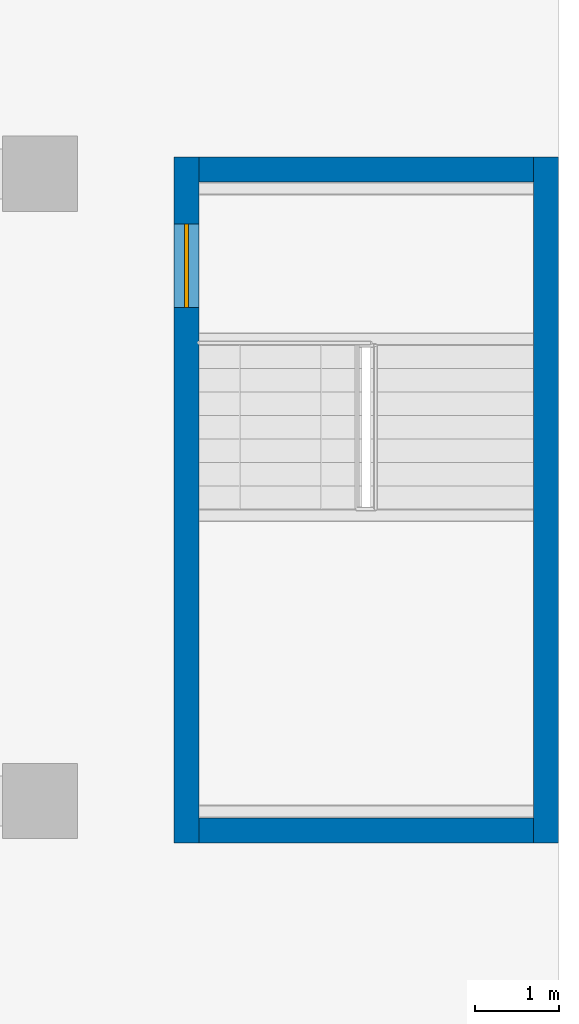
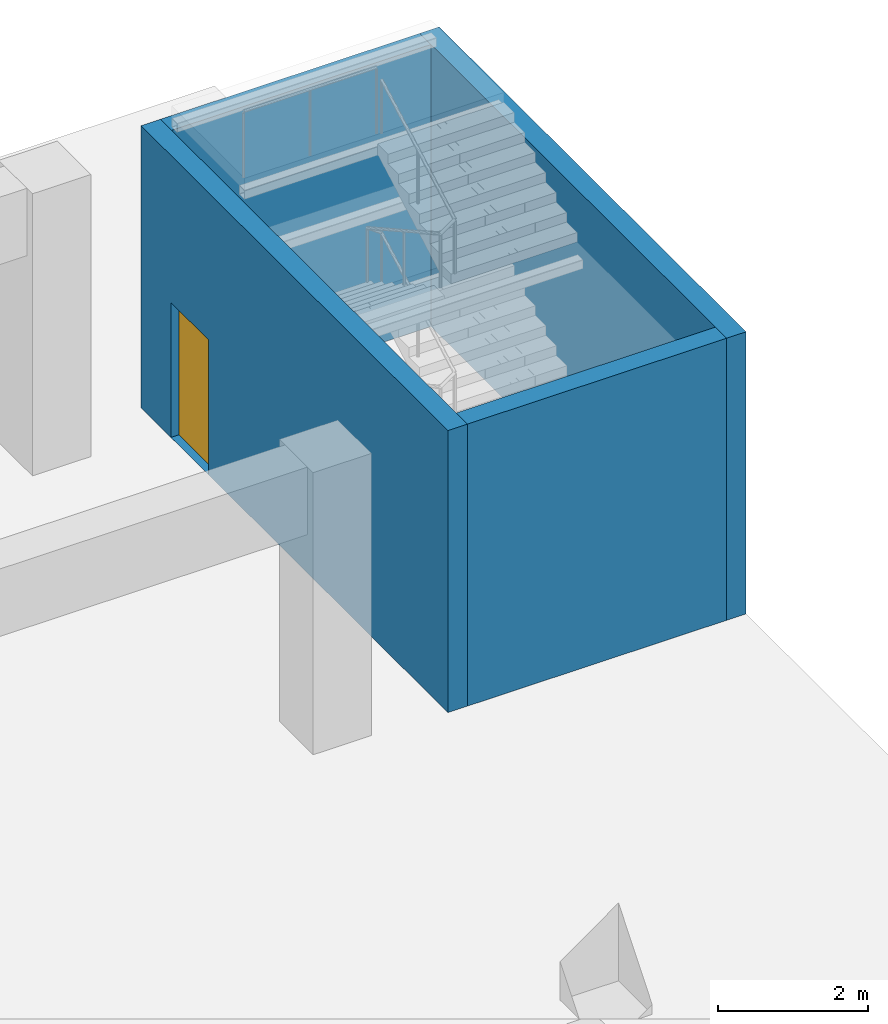
# One storey, part 9 of 20: 4 walls, 1 door, 1 opening.
"""IFC4 building model written with IfcOpenShell, lengths in metres."""

from ifc_helpers import new_model, si_unit, direction, frame, frame_2d, origin, place, context, subcontext, project, spatial, rectangle, extrude, material, layer, layer_set, type_object, element, fill, save


model = new_model("IFC4")

# Units and contexts
model_context = context("Model", 3, precision=1e-05, world=origin(), true_north=direction((0.0, 1.0)))
body_context = subcontext(model_context, "Body", "Model", "MODEL_VIEW")
ifc_project = project(units=[si_unit("LENGTHUNIT", "METRE"), si_unit("AREAUNIT", "SQUARE_METRE"), si_unit("VOLUMEUNIT", "CUBIC_METRE"), si_unit("PLANEANGLEUNIT", "RADIAN"), si_unit("MASSUNIT", "GRAM", prefix="KILO")], contexts=[model_context])

# Site, building, storey
site_placement = place(None, origin())
site = spatial("IfcSite", under=ifc_project, at=site_placement, CompositionType="ELEMENT")
building_placement = place(site_placement, origin())
building = spatial("IfcBuilding", under=site, at=building_placement, Name="Mizan Broadcast Tower", CompositionType="ELEMENT")
storey_placement = place(building_placement, frame((0.0, 0.0, -5.0)))
storey = spatial("IfcBuildingStorey", under=building, at=storey_placement, Name="B1", CompositionType="ELEMENT", Elevation=-5.0)

# Wall, opening, door
ifc_material_1 = material(Name="Concrete C40/50", Category="concrete")
ifc_layer = layer(ifc_material_1, 0.300048828125)
ifc_layer_set = layer_set([ifc_layer], Name="Concrete C40/50")
wall_type = type_object("IfcWallType", Name="STAIR SHAFT WALL 300 RC", PredefinedType="SOLIDWALL", material=ifc_layer_set)
wall_1_placement = place(storey_placement, frame((43.75, 42.199951171875, 0.0), z_axis=(0.0, 0.0, 1.0), x_axis=(0.0, -1.0, 0.0)))
wall_1 = element("IfcWall", 1, at=wall_1_placement, inside=storey, type_object=wall_type, Name="Stair shaft wall E I", PredefinedType="SOLIDWALL", context=body_context, shape_type="SweptSolid", body=[
    extrude(rectangle(XDim=8.199951171875, YDim=0.300048828125, at=frame_2d((4.10009765625, 0.0))), origin(), (0.0, 0.0, 1.0), 4.60009765625),
])
opening_placement = place(wall_1_placement, frame((0.800048828125, 0.0, 0.0)))
opening = element("IfcOpeningElement", 2, at=opening_placement, cuts=wall_1, Name="Opening D10S", PredefinedType="OPENING", context=body_context, shape_type="SweptSolid", body=[
    extrude(rectangle(XDim=1.0, YDim=2.199951171875, at=frame_2d((0.5, 1.10009765625))), frame((0.0, 0.159912109375, 0.0), z_axis=(0.0, -1.0, 0.0), x_axis=(1.0, 0.0, 0.0)), (0.0, 0.0, 1.0), 0.320068359375),
])
ifc_material_2 = material(Name="Steel door leaf in steel frame", Category="steel")
door_type = type_object("IfcDoorType", Name="STAIR DOOR 1000 FD90S", OperationType="SINGLE_SWING_RIGHT", PredefinedType="DOOR", material=ifc_material_2)
door_placement = place(opening_placement, origin())
door = element("IfcDoor", 3, at=door_placement, inside=storey, type_object=door_type, Name="Stair E door", OperationType="SINGLE_SWING_RIGHT", OverallHeight=2.199951171875, OverallWidth=1.0, PredefinedType="DOOR", context=body_context, shape_type="SweptSolid", body=[
    extrude(rectangle(XDim=1.0, YDim=2.199951171875, at=frame_2d((0.5, 1.10009765625))), frame((0.0, 0.02490234375, 0.0), z_axis=(0.0, -1.0, 0.0), x_axis=(1.0, 0.0, 0.0)), (0.0, 0.0, 1.0), 0.050048828125),
])
fill(opening, door)

# Walls
wall_2_placement = place(storey_placement, frame((48.050048828125, 34.0, 0.0), z_axis=(0.0, 0.0, 1.0), x_axis=(0.0, 1.0, 0.0)))
element("IfcWall", 4, at=wall_2_placement, inside=storey, type_object=wall_type, Name="Stair shaft wall E O", PredefinedType="SOLIDWALL", context=body_context, shape_type="SweptSolid", body=[
    extrude(rectangle(XDim=8.199951171875, YDim=0.300048828125, at=frame_2d((4.10009765625, 0.0))), origin(), (0.0, 0.0, 1.0), 4.60009765625),
])
for number, where, z_axis, x_axis, name in (
    (5, (43.89990234375, 42.050048828125, 0.0), (0.0, 0.0, 1.0), (1.0, 0.0, 0.0), "Stair shaft wall E D"),
    (6, (47.89990234375, 34.14990234375, 0.0), (0.0, 0.0, 1.0), (-1.0, 0.0, 0.0), "Stair shaft wall E F"),
):
    element("IfcWall", number, at=place(storey_placement, frame(where, z_axis=z_axis, x_axis=x_axis)), inside=storey, type_object=wall_type, Name=name, PredefinedType="SOLIDWALL", context=body_context, shape_type="SweptSolid", body=[
        extrude(rectangle(XDim=4.0, YDim=0.300048828125, at=frame_2d((2.0, 0.0))), origin(), (0.0, 0.0, 1.0), 4.60009765625),
    ])

save(model, "model.ifc")
